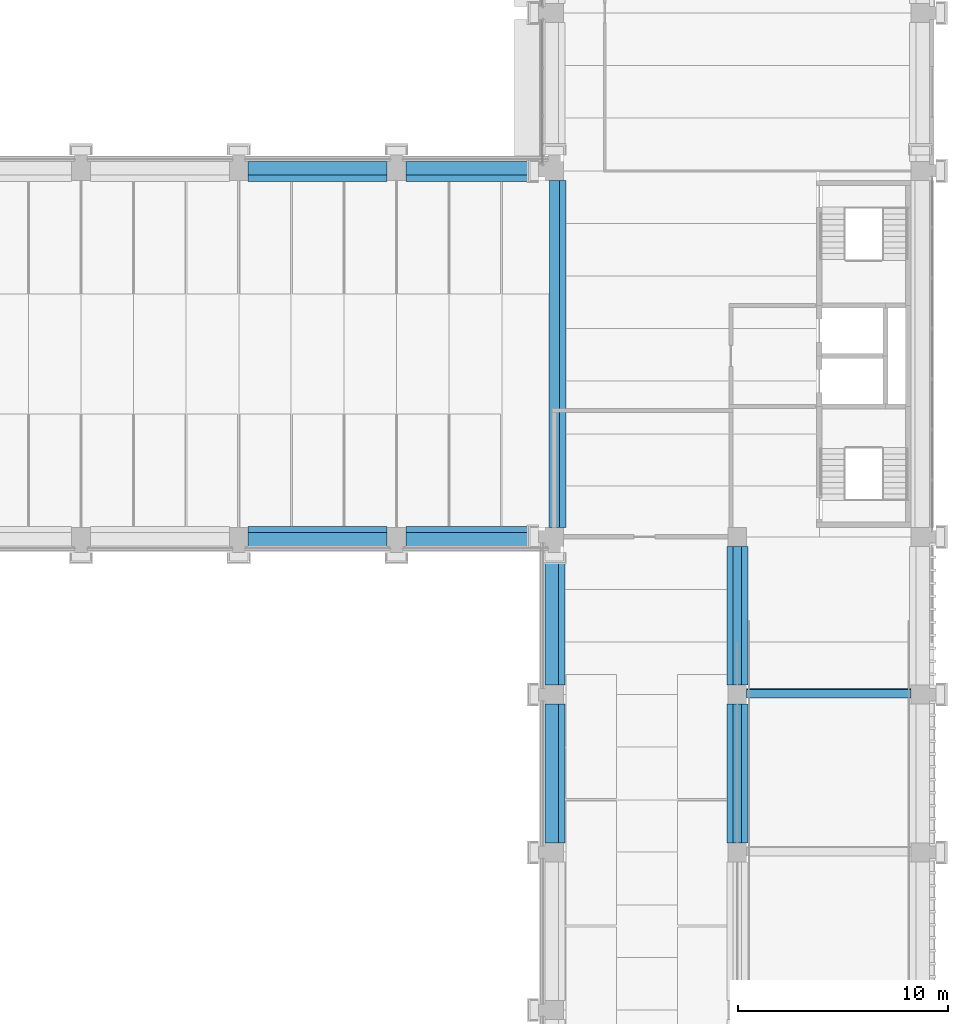
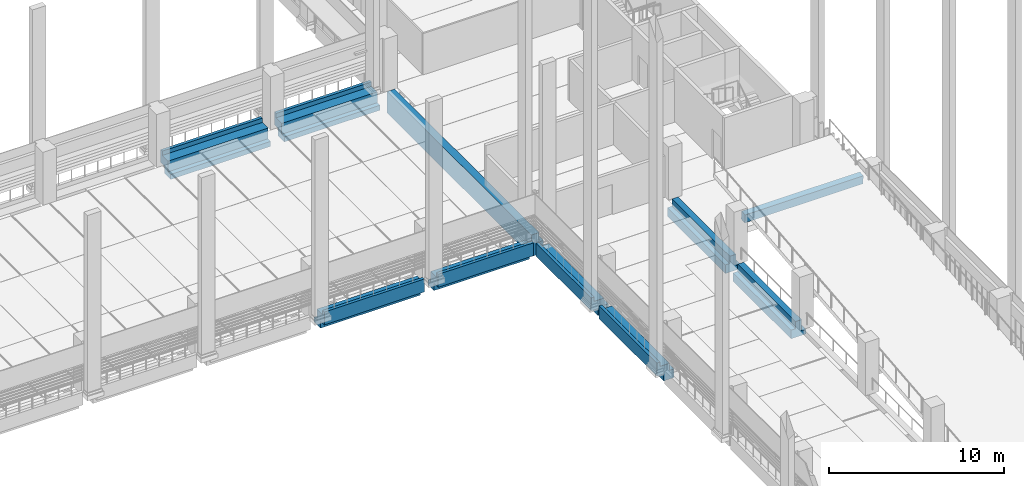
# One storey, part 20 of 67: 10 beams.
"""IFC4 building model written with IfcOpenShell, lengths in metres."""

from ifc_helpers import new_model, si_unit, direction, frame, origin, origin_2d, place, context, subcontext, project, spatial, polyline, rectangle, outline, extrude, material, material_profile, profile_set, type_object, element, save


model = new_model("IFC4")

# Units and contexts
model_context = context("Model", 3, precision=1e-05, world=origin(), true_north=direction((0.0, 1.0)))
body_context = subcontext(model_context, "Body", "Model", "MODEL_VIEW")
ifc_project = project(units=[si_unit("LENGTHUNIT", "METRE"), si_unit("AREAUNIT", "SQUARE_METRE"), si_unit("VOLUMEUNIT", "CUBIC_METRE"), si_unit("PLANEANGLEUNIT", "RADIAN"), si_unit("MASSUNIT", "GRAM", prefix="KILO")], contexts=[model_context])

# Site, building, storey
site_placement = place(None, origin())
site = spatial("IfcSite", under=ifc_project, at=site_placement, CompositionType="ELEMENT")
building_placement = place(site_placement, origin())
building = spatial("IfcBuilding", under=site, at=building_placement, Name="Cour d'Honneur Mobility Palace", CompositionType="ELEMENT")
storey_placement = place(building_placement, frame((0.0, 0.0, 4.5)))
storey = spatial("IfcBuildingStorey", under=building, at=storey_placement, Name="L01", CompositionType="ELEMENT", Elevation=4.5)

# Beams
ifc_material_1 = material(Name="Concrete C45", Category="concrete")
ifc_material_profile_1 = material_profile(ifc_material_1, outline(polyline([(0.5, -1.10009765625), (0.5, -0.5), (0.199951171875, -0.5), (0.199951171875, 0.0), (-0.199951171875, 0.0), (-0.199951171875, -0.800048828125), (-0.5, -0.800048828125), (-0.5, -1.10009765625), (0.5, -1.10009765625)])), Name="Inverted Tee Beam 400x1100 ledges 600/300 plain")
ifc_profile_set_1 = profile_set([ifc_material_profile_1], Name="Concrete C45")
beam_type_1 = type_object("IfcBeamType", Name="Inverted Tee Beam 400x1100 ledges 600/300 plain", PredefinedType="T_BEAM", material=ifc_profile_set_1)
for number, where, z_axis, x_axis, name in (
    (1, (153.60009765625, 30.449951171875, 0.0), (0.0, 1.0, 0.0), (-1.0, 0.0, 0.0), "Precast beam B19 E-F L01"),
    (2, (153.60009765625, 37.949951171875, 0.0), (0.0, 1.0, 0.0), (-1.0, 0.0, 0.0), "Precast beam B19 F-G L01"),
):
    element("IfcBeam", number, at=place(storey_placement, frame(where, z_axis=z_axis, x_axis=x_axis)), inside=storey, type_object=beam_type_1, Name=name, PredefinedType="T_BEAM", context=body_context, shape_type="SweptSolid", body=[
        extrude(outline(polyline([(0.5, -1.10009765625), (0.5, -0.5), (0.199951171875, -0.5), (0.199951171875, 0.0), (-0.199951171875, 0.0), (-0.199951171875, -0.800048828125), (-0.5, -0.800048828125), (-0.5, -1.10009765625), (0.5, -1.10009765625)])), origin(), (0.0, 0.0, 1.0), 6.60009765625),
    ])
ifc_material_2 = material(Name="Concrete C45", Category="concrete")
ifc_material_profile_2 = material_profile(ifc_material_2, outline(polyline([(0.5, -1.10009765625), (0.5, -0.75), (0.199951171875, -0.75), (0.199951171875, 0.0), (-0.199951171875, 0.0), (-0.449951171875, 0.0), (-0.449951171875, 0.300048828125), (-0.64990234375, 0.300048828125), (-0.64990234375, -0.60009765625), (-0.199951171875, -0.60009765625), (-0.199951171875, -1.10009765625), (0.5, -1.10009765625)])), Name="Ledger Beam 400x1100 ledge left 350 facade right")
ifc_profile_set_2 = profile_set([ifc_material_profile_2], Name="Concrete C45")
beam_type_2 = type_object("IfcBeamType", Name="Ledger Beam 400x1100 ledge left 350 facade right", PredefinedType="BEAM", material=ifc_profile_set_2)
beam_1_placement = place(storey_placement, frame((130.35009765625, 45.0, 0.0), z_axis=(1.0, 0.0, 0.0), x_axis=(0.0, 1.0, 0.0)))
element("IfcBeam", 3, at=beam_1_placement, inside=storey, type_object=beam_type_2, Name="Precast beam B2 17-18 L01", PredefinedType="BEAM", context=body_context, shape_type="SweptSolid", body=[
    extrude(outline(polyline([(0.5, -1.10009765625), (0.5, -0.75), (0.199951171875, -0.75), (0.199951171875, 0.0), (-0.199951171875, 0.0), (-0.449951171875, 0.0), (-0.449951171875, 0.300048828125), (-0.64990234375, 0.300048828125), (-0.64990234375, -0.60009765625), (-0.199951171875, -0.60009765625), (-0.199951171875, -1.10009765625), (0.5, -1.10009765625)])), origin(), (0.0, 0.0, 1.0), 6.599853515625),
])
beam_2_placement = place(storey_placement, frame((137.85009765625, 45.0, 0.0), z_axis=(1.0, 0.0, 0.0), x_axis=(0.0, 1.0, 0.0)))
element("IfcBeam", 4, at=beam_2_placement, inside=storey, type_object=beam_type_2, Name="Precast beam B2 18-19 L01", PredefinedType="BEAM", context=body_context, shape_type="SweptSolid", body=[
    extrude(outline(polyline([(0.5, -1.10009765625), (0.5, -0.75), (0.199951171875, -0.75), (0.199951171875, 0.0), (-0.199951171875, 0.0), (-0.449951171875, 0.0), (-0.449951171875, 0.300048828125), (-0.64990234375, 0.300048828125), (-0.64990234375, -0.60009765625), (-0.199951171875, -0.60009765625), (-0.199951171875, -1.10009765625), (0.5, -1.10009765625)])), origin(), (0.0, 0.0, 1.0), 6.2998046875),
])
ifc_material_3 = material(Name="Concrete C45", Category="concrete")
ifc_material_profile_3 = material_profile(ifc_material_3, outline(polyline([(0.199951171875, -1.10009765625), (0.199951171875, -0.60009765625), (0.64990234375, -0.60009765625), (0.64990234375, 0.300048828125), (0.449951171875, 0.300048828125), (0.449951171875, 0.0), (0.199951171875, 0.0), (-0.199951171875, 0.0), (-0.199951171875, -0.75), (-0.5, -0.75), (-0.5, -1.10009765625), (0.199951171875, -1.10009765625)])), Name="Ledger Beam 400x1100 ledge right 350 facade left")
ifc_profile_set_3 = profile_set([ifc_material_profile_3], Name="Concrete C45")
beam_type_3 = type_object("IfcBeamType", Name="Ledger Beam 400x1100 ledge right 350 facade left", PredefinedType="BEAM", material=ifc_profile_set_3)
beam_3_placement = place(storey_placement, frame((130.35009765625, 62.39990234375, 0.0), z_axis=(1.0, 0.0, 0.0), x_axis=(0.0, 1.0, 0.0)))
element("IfcBeam", 5, at=beam_3_placement, inside=storey, type_object=beam_type_3, Name="Precast beam B4 17-18 L01", PredefinedType="BEAM", context=body_context, shape_type="SweptSolid", body=[
    extrude(outline(polyline([(0.199951171875, -1.10009765625), (0.199951171875, -0.60009765625), (0.64990234375, -0.60009765625), (0.64990234375, 0.300048828125), (0.449951171875, 0.300048828125), (0.449951171875, 0.0), (0.199951171875, 0.0), (-0.199951171875, 0.0), (-0.199951171875, -0.75), (-0.5, -0.75), (-0.5, -1.10009765625), (0.199951171875, -1.10009765625)])), origin(), (0.0, 0.0, 1.0), 6.599853515625),
])
beam_4_placement = place(storey_placement, frame((137.85009765625, 62.39990234375, 0.0), z_axis=(1.0, 0.0, 0.0), x_axis=(0.0, 1.0, 0.0)))
element("IfcBeam", 6, at=beam_4_placement, inside=storey, type_object=beam_type_3, Name="Precast beam B4 18-19 L01", PredefinedType="BEAM", context=body_context, shape_type="SweptSolid", body=[
    extrude(outline(polyline([(0.199951171875, -1.10009765625), (0.199951171875, -0.60009765625), (0.64990234375, -0.60009765625), (0.64990234375, 0.300048828125), (0.449951171875, 0.300048828125), (0.449951171875, 0.0), (0.199951171875, 0.0), (-0.199951171875, 0.0), (-0.199951171875, -0.75), (-0.5, -0.75), (-0.5, -1.10009765625), (0.199951171875, -1.10009765625)])), origin(), (0.0, 0.0, 1.0), 6.2998046875),
])
ifc_material_4 = material(Name="Concrete C45", Category="concrete")
ifc_material_profile_4 = material_profile(ifc_material_4, outline(polyline([(0.199951171875, -1.10009765625), (0.199951171875, -0.60009765625), (0.64990234375, -0.60009765625), (0.64990234375, 0.300048828125), (0.449951171875, 0.300048828125), (0.449951171875, 0.0), (0.199951171875, 0.0), (-0.199951171875, 0.0), (-0.199951171875, -0.5), (-0.5, -0.5), (-0.5, -1.10009765625), (0.199951171875, -1.10009765625)])), Name="Ledger Beam 400x1100 ledge right 600 facade left")
ifc_profile_set_4 = profile_set([ifc_material_profile_4], Name="Concrete C45")
beam_type_4 = type_object("IfcBeamType", Name="Ledger Beam 400x1100 ledge right 600 facade left", PredefinedType="BEAM", material=ifc_profile_set_4)
beam_5_placement = place(storey_placement, frame((144.89990234375, 30.449951171875, 0.0), z_axis=(0.0, 1.0, 0.0), x_axis=(-1.0, 0.0, 0.0)))
element("IfcBeam", 7, at=beam_5_placement, inside=storey, type_object=beam_type_4, Name="Precast beam B15 E-F L01", PredefinedType="BEAM", context=body_context, shape_type="SweptSolid", body=[
    extrude(outline(polyline([(0.199951171875, -1.10009765625), (0.199951171875, -0.60009765625), (0.64990234375, -0.60009765625), (0.64990234375, 0.300048828125), (0.449951171875, 0.300048828125), (0.449951171875, 0.0), (0.199951171875, 0.0), (-0.199951171875, 0.0), (-0.199951171875, -0.5), (-0.5, -0.5), (-0.5, -1.10009765625), (0.199951171875, -1.10009765625)])), origin(), (0.0, 0.0, 1.0), 6.60009765625),
])
beam_6_placement = place(storey_placement, frame((144.89990234375, 37.949951171875, 0.0), z_axis=(0.0, 1.0, 0.0), x_axis=(-1.0, 0.0, 0.0)))
element("IfcBeam", 8, at=beam_6_placement, inside=storey, type_object=beam_type_4, Name="Precast beam B15 F-G L01", PredefinedType="BEAM", context=body_context, shape_type="SweptSolid", body=[
    extrude(outline(polyline([(0.199951171875, -1.10009765625), (0.199951171875, -0.60009765625), (0.64990234375, -0.60009765625), (0.64990234375, 0.300048828125), (0.449951171875, 0.300048828125), (0.449951171875, 0.0), (0.199951171875, 0.0), (-0.199951171875, 0.0), (-0.199951171875, -0.5), (-0.5, -0.5), (-0.5, -1.10009765625), (0.199951171875, -1.10009765625)])), origin(), (0.0, 0.0, 1.0), 6.300048828125),
])
ifc_material_5 = material(Name="Concrete C45", Category="concrete")
ifc_material_profile_5 = material_profile(ifc_material_5, outline(polyline([(0.25, -1.5), (0.25, 0.0), (-0.25, 0.0), (-0.25, -0.64990234375), (-0.550048828125, -0.64990234375), (-0.550048828125, -1.5), (0.25, -1.5)])), Name="Ledger Beam 500x1500 ledge right 850 plain")
ifc_profile_set_5 = profile_set([ifc_material_profile_5], Name="Concrete C45")
beam_type_5 = type_object("IfcBeamType", Name="Ledger Beam 500x1500 ledge right 850 plain", PredefinedType="BEAM", material=ifc_profile_set_5)
beam_7_placement = place(storey_placement, frame((144.89990234375, 45.449951171875, 0.0), z_axis=(0.0, 1.0, 0.0), x_axis=(-1.0, 0.0, 0.0)))
element("IfcBeam", 9, at=beam_7_placement, inside=storey, type_object=beam_type_5, Name="Precast beam B16 G-H L01", PredefinedType="BEAM", context=body_context, shape_type="SweptSolid", body=[
    extrude(outline(polyline([(0.25, -1.5), (0.25, 0.0), (-0.25, 0.0), (-0.25, -0.64990234375), (-0.550048828125, -0.64990234375), (-0.550048828125, -1.5), (0.25, -1.5)])), origin(), (0.0, 0.0, 1.0), 16.5),
])
ifc_material_6 = material(Name="Concrete C40", Category="concrete")
ifc_material_profile_6 = material_profile(ifc_material_6, rectangle(XDim=0.39990234375, YDim=0.60009765625, at=origin_2d()), Name="Ramp cross beam 400x600")
ifc_profile_set_6 = profile_set([ifc_material_profile_6], Name="Concrete C40")
beam_type_6 = type_object("IfcBeamType", Name="Ramp cross beam 400x600", PredefinedType="BEAM", material=ifc_profile_set_6)
beam_8_placement = place(storey_placement, frame((161.85009765625, 37.559814453125, 2.7529296875), z_axis=(-1.0, 0.0, 0.0), x_axis=(0.0, -0.995037190449, -0.099503716633)))
element("IfcBeam", 10, at=beam_8_placement, inside=storey, type_object=beam_type_6, Name="Ramp cross beam SE.R1-5", PredefinedType="BEAM", context=body_context, shape_type="SweptSolid", body=[
    extrude(rectangle(XDim=0.39990234375, YDim=0.60009765625, at=origin_2d()), origin(), (0.0, 0.0, 1.0), 7.800048828125),
])

save(model, "model.ifc")
